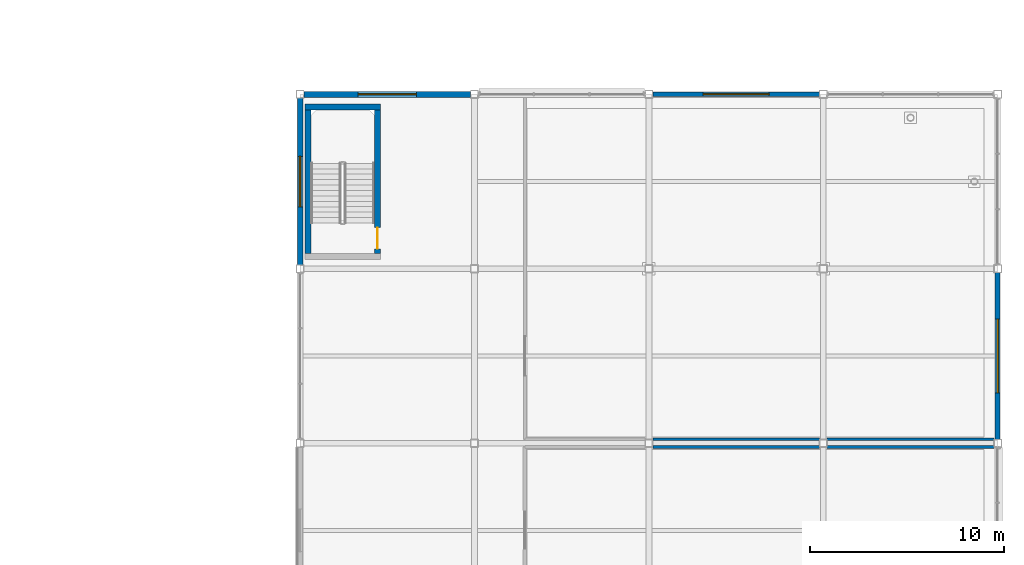
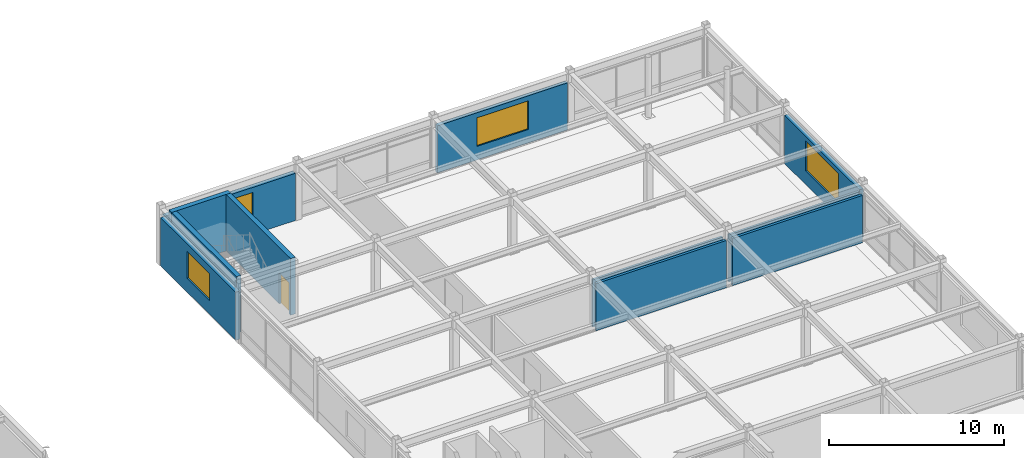
# One storey, part 51 of 70: 11 walls, 4 windows, 1 door, 5 openings.
"""IFC4 building model written with IfcOpenShell, lengths in metres."""

import ifcopenshell
import ifcopenshell.guid

model = None  # the IFC model being written
_history = None  # IfcOwnerHistory: only IFC2X3 demands one
_inside = {}  # id of a spatial element -> (the spatial element, [elements in it])
_under = {}  # id of a project, library or spatial element -> (it, [spatial elements below it])
_declared = {}  # id of a project -> (the project, [libraries it declares])
_typed = {}  # id of a type object -> (the type object, [elements of that type])
_made_of = {}  # id of a material, layer set ... -> (it, [elements and type objects made of it])


def new_model(schema):
    """Start an empty IFC model of exactly this schema.

    Asked for "IFC4X3", IfcOpenShell would pick the latest addendum, in which some entities
    have other attributes; the version numbers below select the first issue.
    IFC2X3 requires an IfcOwnerHistory on every rooted entity: one is made here for all.
    """
    global model, _history
    if schema == "IFC4X3":
        model = ifcopenshell.file(schema_version=(4, 3, 0, 0))
    else:
        model = ifcopenshell.file(schema=schema)
    _inside.clear()
    _under.clear()
    _declared.clear()
    _typed.clear()
    _made_of.clear()
    _history = None
    if model.schema == "IFC2X3":
        org = make("IfcOrganization", Name="unknown")
        user = make(
            "IfcPersonAndOrganization",
            ThePerson=make("IfcPerson", FamilyName="unknown"),
            TheOrganization=org,
        )
        app = make(
            "IfcApplication",
            ApplicationDeveloper=org,
            Version="unknown",
            ApplicationFullName="unknown",
            ApplicationIdentifier="unknown",
        )
        _history = make(
            "IfcOwnerHistory",
            OwningUser=user,
            OwningApplication=app,
            ChangeAction="ADDED",
            CreationDate=0,
        )
    return model


def make(cls, **values):
    """One entity of the class cls with the attributes given. An attribute that is None is left unset."""
    return model.create_entity(
        cls, **{name: value for name, value in values.items() if value is not None}
    )


def rooted(cls, **values):
    """An entity with a GlobalId (a new one), such as an element, a storey or a relation."""
    return make(cls, GlobalId=ifcopenshell.guid.new(), OwnerHistory=_history, **values)


def si_unit(unit_type, name, prefix=None):
    """IfcSIUnit, for example si_unit("LENGTHUNIT", "METRE", prefix="MILLI")."""
    return make("IfcSIUnit", UnitType=unit_type, Prefix=prefix, Name=name)


def assignment(units):
    """IfcUnitAssignment: the units of a project."""
    return None if units is None else make("IfcUnitAssignment", Units=units)


def point(xyz):
    """IfcCartesianPoint."""
    return None if xyz is None else make("IfcCartesianPoint", Coordinates=xyz)


def direction(xyz):
    """IfcDirection."""
    return None if xyz is None else make("IfcDirection", DirectionRatios=xyz)


def frame(location, z_axis=None, x_axis=None):
    """IfcAxis2Placement3D, a coordinate frame: its origin and axes. An axis left out is left unset."""
    return make(
        "IfcAxis2Placement3D",
        Location=point(location),
        Axis=direction(z_axis),
        RefDirection=direction(x_axis),
    )


def frame_2d(location, x_axis=None):
    """IfcAxis2Placement2D, a coordinate frame in the plane: its origin and x axis."""
    return make(
        "IfcAxis2Placement2D", Location=point(location), RefDirection=direction(x_axis)
    )


def origin():
    """The frame at (0, 0, 0) with its axes left unset."""
    return frame((0.0, 0.0, 0.0))


def place(relative_to, where):
    """IfcLocalPlacement: puts the frame where relative to a parent placement (None: the world)."""
    return make(
        "IfcLocalPlacement", PlacementRelTo=relative_to, RelativePlacement=where
    )


def context(
    kind, dimensions, precision=None, world=None, true_north=None, identifier=None
):
    """IfcGeometricRepresentationContext, for example the 3D "Model" context."""
    return make(
        "IfcGeometricRepresentationContext",
        ContextIdentifier=identifier,
        ContextType=kind,
        CoordinateSpaceDimension=dimensions,
        Precision=precision,
        WorldCoordinateSystem=world,
        TrueNorth=true_north,
    )


def subcontext(parent, identifier, kind, view, scale=None):
    """IfcGeometricRepresentationSubContext, for example "Body" below "Model"."""
    return make(
        "IfcGeometricRepresentationSubContext",
        ContextIdentifier=identifier,
        ContextType=kind,
        ParentContext=parent,
        TargetScale=scale,
        TargetView=view,
    )


def project(units=None, contexts=None):
    """IfcProject with its units and contexts."""
    return rooted(
        "IfcProject",
        Name="project",
        RepresentationContexts=contexts,
        UnitsInContext=assignment(units),
    )


def spatial(cls, under=None, at=None, **own):
    """A site, building, storey or space (cls), placed at a placement, below another one or the project."""
    s = rooted(cls, ObjectPlacement=at, **own)
    if under is not None:
        _under.setdefault(under.id(), (under, []))[1].append(s)
    return s


def profile(cls, at=None, kind="AREA", **sizes):
    """A parametric profile (cls). Its sizes go by their IFC names, for example OverallWidth=200.0."""
    return make(cls, ProfileType=kind, Position=at, **sizes)


def rectangle(**sizes):
    """IfcRectangleProfileDef."""
    return profile("IfcRectangleProfileDef", **sizes)


def extrude(swept, where, along, depth):
    """IfcExtrudedAreaSolid: the profile swept, set in the frame where, extruded along a direction by depth."""
    return make(
        "IfcExtrudedAreaSolid",
        SweptArea=swept,
        Position=where,
        ExtrudedDirection=direction(along),
        Depth=depth,
    )


def shape(context_of_items, identifier, shape_type, items):
    """IfcShapeRepresentation: the items that make up one representation, for example the "Body"."""
    return make(
        "IfcShapeRepresentation",
        ContextOfItems=context_of_items,
        RepresentationIdentifier=identifier,
        RepresentationType=shape_type,
        Items=items,
    )


def material(Name=None, Category=None):
    """IfcMaterial."""
    return make("IfcMaterial", Name=Name, Category=Category)


def layer(
    of_material, thickness, ventilated=None, Name=None, Category=None, Priority=None
):
    """IfcMaterialLayer: one layer of a wall or slab, of a material (None: an air gap)."""
    return make(
        "IfcMaterialLayer",
        Material=of_material,
        LayerThickness=thickness,
        IsVentilated=ventilated,
        Name=Name,
        Category=Category,
        Priority=Priority,
    )


def layer_set(layers, Name=None):
    """IfcMaterialLayerSet."""
    return make("IfcMaterialLayerSet", MaterialLayers=layers, LayerSetName=Name)


def made_of(thing, what):
    """Note that an element or type object is made of a material, layer set ...; save() writes the relation."""
    if what is not None:
        _made_of.setdefault(what.id(), (what, []))[1].append(thing)
    return thing


def type_object(cls, material=None, **own):
    """A type object (cls), such as IfcWallType, which elements share."""
    return made_of(rooted(cls, **own), material)


def element(
    cls,
    number,
    at=None,
    inside=None,
    cuts=None,
    type_object=None,
    material=None,
    context=None,
    identifier="Body",
    shape_type=None,
    held_by="IfcProductDefinitionShape",
    body=None,
    shapes=None,
    **own,
):
    """One element of the class cls, such as IfcWall. Its Tag is "e" and its number.

    at: its placement. inside: the storey or other place that contains it. cuts: it is an
    opening in that element (IfcRelVoidsElement). A single representation is given by context,
    identifier, shape_type and body (its items); several are given by shapes. held_by: the class
    of the entity that holds the representations. save() writes the other relations.
    """
    e = rooted(cls, Tag="e%d" % number, ObjectPlacement=at, **own)
    if body is not None:
        shapes = [shape(context, identifier, shape_type, body)]
    if shapes is not None:
        e.Representation = make(held_by, Representations=shapes)
    if inside is not None:
        _inside.setdefault(inside.id(), (inside, []))[1].append(e)
    if cuts is not None:
        rooted(
            "IfcRelVoidsElement", RelatingBuildingElement=cuts, RelatedOpeningElement=e
        )
    if type_object is not None:
        _typed.setdefault(type_object.id(), (type_object, []))[1].append(e)
    return made_of(e, material)


def fill(opening, filler):
    """IfcRelFillsElement: the door or window that sits in an opening."""
    return rooted(
        "IfcRelFillsElement",
        RelatingOpeningElement=opening,
        RelatedBuildingElement=filler,
    )


def aggregate(whole, parts):
    """IfcRelAggregates: a whole, such as a stair, and the parts it consists of."""
    return rooted("IfcRelAggregates", RelatingObject=whole, RelatedObjects=parts)


def save(model, path):
    """Write the relations noted so far, then the file.

    IfcRelAggregates (storeys below a building ...), IfcRelContainedInSpatialStructure (elements
    in a storey), IfcRelDefinesByType, IfcRelAssociatesMaterial and IfcRelDeclares: one each for
    every whole, place, type object, material and project.
    """
    for whole, parts in _under.values():
        aggregate(whole, parts)
    for where, things in _inside.values():
        rooted(
            "IfcRelContainedInSpatialStructure",
            RelatedElements=things,
            RelatingStructure=where,
        )
    for kind, things in _typed.values():
        rooted("IfcRelDefinesByType", RelatedObjects=things, RelatingType=kind)
    for what, things in _made_of.values():
        rooted("IfcRelAssociatesMaterial", RelatedObjects=things, RelatingMaterial=what)
    for by, libraries in _declared.values():
        rooted("IfcRelDeclares", RelatingContext=by, RelatedDefinitions=libraries)
    model.write(path)


model = new_model("IFC4")

# Units and contexts
model_context = context("Model", 3, precision=1e-05, world=origin(), true_north=direction((0.0, 1.0)))
body_context = subcontext(model_context, "Body", "Model", "MODEL_VIEW")
ifc_project = project(units=[si_unit("LENGTHUNIT", "METRE"), si_unit("AREAUNIT", "SQUARE_METRE"), si_unit("VOLUMEUNIT", "CUBIC_METRE"), si_unit("PLANEANGLEUNIT", "RADIAN"), si_unit("MASSUNIT", "GRAM", prefix="KILO")], contexts=[model_context])

# Site, building, storey
site_placement = place(None, origin())
site = spatial("IfcSite", under=ifc_project, at=site_placement, CompositionType="ELEMENT")
building_placement = place(site_placement, origin())
building = spatial("IfcBuilding", under=site, at=building_placement, Name="Suzunagisa Mobility Hub", CompositionType="ELEMENT")
storey_placement = place(building_placement, frame((0.0, 0.0, 13.5)))
storey = spatial("IfcBuildingStorey", under=building, at=storey_placement, Name="L03", CompositionType="ELEMENT", Elevation=13.5)

# Wall, opening, window
ifc_material_1 = material(Name="Porcelain-Faced Insulated Concrete C30/37 Wall", Category="concrete")
ifc_layer_1 = layer(ifc_material_1, 0.260009765625)
ifc_layer_set_1 = layer_set([ifc_layer_1], Name="Porcelain-Faced Insulated Concrete C30/37 Wall")
wall_type_1 = type_object("IfcWallType", Name="Exterior Wall EW-03 260mm", PredefinedType="SOLIDWALL", material=ifc_layer_set_1)
wall_1_placement = place(storey_placement, frame((180.0, 80.199951171875, 0.0), z_axis=(0.0, 0.0, 1.0), x_axis=(0.0, 1.0, 0.0)))
wall_1 = element("IfcWall", 1, at=wall_1_placement, inside=storey, type_object=wall_type_1, Name="L03 Exterior Facade Wall EW-386", PredefinedType="SOLIDWALL", context=body_context, shape_type="SweptSolid", body=[
    extrude(rectangle(XDim=8.60009765625, YDim=0.260009765625, at=frame_2d((4.300048828125, 0.0))), origin(), (0.0, 0.0, 1.0), 3.362060546875),
])
opening_1_placement = place(wall_1_placement, frame((2.39990234375, 0.0, 0.949951171875)))
opening_1 = element("IfcOpeningElement", 2, at=opening_1_placement, cuts=wall_1, Name="Opening WN-18", PredefinedType="OPENING", context=body_context, shape_type="SweptSolid", body=[
    extrude(rectangle(XDim=3.800048828125, YDim=2.10009765625, at=frame_2d((1.89990234375, 1.050048828125))), frame((0.0, 0.14111328125, 0.0), z_axis=(0.0, -1.0, 0.0), x_axis=(1.0, 0.0, 0.0)), (0.0, 0.0, 1.0), 0.281982421875),
])
ifc_material_2 = material(Name="Thermally Broken Anodized Aluminum and Low-E Double Glazing", Category="aluminium")
window_type_1 = type_object("IfcWindowType", Name="Aluminum Window WN-18 3800x2100", PartitioningType="SINGLE_PANEL", PredefinedType="WINDOW", material=ifc_material_2)
window_1_placement = place(opening_1_placement, origin())
window_1 = element("IfcWindow", 3, at=window_1_placement, inside=storey, type_object=window_type_1, Name="L03 Scheduled Facade Window WN-130", OverallHeight=2.10009765625, OverallWidth=3.800048828125, PartitioningType="SINGLE_PANEL", PredefinedType="WINDOW", context=body_context, shape_type="SweptSolid", body=[
    extrude(rectangle(XDim=3.800048828125, YDim=2.10009765625, at=frame_2d((1.89990234375, 1.050048828125))), frame((0.0, 0.030029296875, 0.0), z_axis=(0.0, -1.0, 0.0), x_axis=(1.0, 0.0, 0.0)), (0.0, 0.0, 1.0), 0.06005859375),
])
fill(opening_1, window_1)

ifc_material_3 = material(Name="Lightweight Insulated Autoclaved Concrete C30/37 Wall", Category="concrete")
ifc_layer_2 = layer(ifc_material_3, 0.239990234375)
ifc_layer_set_2 = layer_set([ifc_layer_2], Name="Lightweight Insulated Autoclaved Concrete C30/37 Wall")
wall_type_2 = type_object("IfcWallType", Name="Exterior Wall EW-04 240mm", PredefinedType="SOLIDWALL", material=ifc_layer_set_2)
wall_2_placement = place(storey_placement, frame((170.800048828125, 98.0, 0.0), z_axis=(0.0, 0.0, 1.0), x_axis=(-1.0, 0.0, 0.0)))
wall_2 = element("IfcWall", 4, at=wall_2_placement, inside=storey, type_object=wall_type_2, Name="L03 Exterior Facade Wall EW-387", PredefinedType="SOLIDWALL", context=body_context, shape_type="SweptSolid", body=[
    extrude(rectangle(XDim=8.60009765625, YDim=0.239990234375, at=frame_2d((4.300048828125, 0.0))), origin(), (0.0, 0.0, 1.0), 3.300048828125),
])
opening_2_placement = place(wall_2_placement, frame((2.60009765625, 0.0, 0.949951171875)))
opening_2 = element("IfcOpeningElement", 5, at=opening_2_placement, cuts=wall_2, Name="Opening WN-06", PredefinedType="OPENING", context=body_context, shape_type="SweptSolid", body=[
    extrude(rectangle(XDim=3.39990234375, YDim=2.0, at=frame_2d((1.699951171875, 1.0))), frame((0.0, 0.130859375, 0.0), z_axis=(0.0, -1.0, 0.0), x_axis=(1.0, 0.0, 0.0)), (0.0, 0.0, 1.0), 0.261962890625),
])
window_type_2 = type_object("IfcWindowType", Name="Aluminum Window WN-06 3400x2000", PartitioningType="SINGLE_PANEL", PredefinedType="WINDOW", material=ifc_material_2)
window_2_placement = place(opening_2_placement, origin())
window_2 = element("IfcWindow", 6, at=window_2_placement, inside=storey, type_object=window_type_2, Name="L03 Scheduled Facade Window WN-131", OverallHeight=2.0, OverallWidth=3.39990234375, PartitioningType="SINGLE_PANEL", PredefinedType="WINDOW", context=body_context, shape_type="SweptSolid", body=[
    extrude(rectangle(XDim=3.39990234375, YDim=2.0, at=frame_2d((1.699951171875, 1.0))), frame((0.0, 0.030029296875, 0.0), z_axis=(0.0, -1.0, 0.0), x_axis=(1.0, 0.0, 0.0)), (0.0, 0.0, 1.0), 0.06005859375),
])
fill(opening_2, window_2)

ifc_layer_3 = layer(ifc_material_1, 0.280029296875)
ifc_layer_set_3 = layer_set([ifc_layer_3], Name="Porcelain-Faced Insulated Concrete C30/37 Wall")
wall_type_3 = type_object("IfcWallType", Name="Exterior Wall EW-08 280mm", PredefinedType="SOLIDWALL", material=ifc_layer_set_3)
wall_3_placement = place(storey_placement, frame((144.0, 97.800048828125, 0.0), z_axis=(0.0, 0.0, 1.0), x_axis=(0.0, -1.0, 0.0)))
wall_3 = element("IfcWall", 7, at=wall_3_placement, inside=storey, type_object=wall_type_3, Name="L03 Exterior Facade Wall EW-389", PredefinedType="SOLIDWALL", context=body_context, shape_type="SweptSolid", body=[
    extrude(rectangle(XDim=8.60009765625, YDim=0.280029296875, at=frame_2d((4.300048828125, 0.0))), origin(), (0.0, 0.0, 1.0), 3.362060546875),
])
opening_3_placement = place(wall_3_placement, frame((3.0, 0.0, 0.949951171875)))
opening_3 = element("IfcOpeningElement", 8, at=opening_3_placement, cuts=wall_3, Name="Opening WN-24", PredefinedType="OPENING", context=body_context, shape_type="SweptSolid", body=[
    extrude(rectangle(XDim=2.60009765625, YDim=1.89990234375, at=frame_2d((1.300048828125, 0.949951171875))), frame((0.0, 0.15087890625, 0.0), z_axis=(0.0, -1.0, 0.0), x_axis=(1.0, 0.0, 0.0)), (0.0, 0.0, 1.0), 0.302001953125),
])
window_type_3 = type_object("IfcWindowType", Name="Aluminum Window WN-24 2600x1900", PartitioningType="SINGLE_PANEL", PredefinedType="WINDOW", material=ifc_material_2)
window_3_placement = place(opening_3_placement, origin())
window_3 = element("IfcWindow", 9, at=window_3_placement, inside=storey, type_object=window_type_3, Name="L03 Scheduled Facade Window WN-133", OverallHeight=1.89990234375, OverallWidth=2.60009765625, PartitioningType="SINGLE_PANEL", PredefinedType="WINDOW", context=body_context, shape_type="SweptSolid", body=[
    extrude(rectangle(XDim=2.60009765625, YDim=1.89990234375, at=frame_2d((1.300048828125, 0.949951171875))), frame((0.0, 0.030029296875, 0.0), z_axis=(0.0, -1.0, 0.0), x_axis=(1.0, 0.0, 0.0)), (0.0, 0.0, 1.0), 0.06005859375),
])
fill(opening_3, window_3)

ifc_material_4 = material(Name="Insulated Precast Concrete C35/45 Panel", Category="concrete")
ifc_layer_4 = layer(ifc_material_4, 0.300048828125)
ifc_layer_set_4 = layer_set([ifc_layer_4], Name="Insulated Precast Concrete C35/45 Panel")
wall_type_4 = type_object("IfcWallType", Name="Exterior Wall EW-09 300mm", PredefinedType="SOLIDWALL", material=ifc_layer_set_4)
wall_4_placement = place(storey_placement, frame((152.800048828125, 98.0, 0.0), z_axis=(0.0, 0.0, 1.0), x_axis=(-1.0, 0.0, 0.0)))
wall_4 = element("IfcWall", 10, at=wall_4_placement, inside=storey, type_object=wall_type_4, Name="L03 Exterior Facade Wall EW-388", PredefinedType="SOLIDWALL", context=body_context, shape_type="SweptSolid", body=[
    extrude(rectangle(XDim=8.60009765625, YDim=0.300048828125, at=frame_2d((4.300048828125, 0.0))), origin(), (0.0, 0.0, 1.0), 3.300048828125),
])
opening_4_placement = place(wall_4_placement, frame((2.800048828125, 0.0, 0.949951171875)))
opening_4 = element("IfcOpeningElement", 11, at=opening_4_placement, cuts=wall_4, Name="Opening WN-03", PredefinedType="OPENING", context=body_context, shape_type="SweptSolid", body=[
    extrude(rectangle(XDim=3.0, YDim=2.0, at=frame_2d((1.5, 1.0))), frame((0.0, 0.1611328125, 0.0), z_axis=(0.0, -1.0, 0.0), x_axis=(1.0, 0.0, 0.0)), (0.0, 0.0, 1.0), 0.322021484375),
])
window_type_4 = type_object("IfcWindowType", Name="Aluminum Window WN-03 3000x2000", PartitioningType="SINGLE_PANEL", PredefinedType="WINDOW", material=ifc_material_2)
window_4_placement = place(opening_4_placement, origin())
window_4 = element("IfcWindow", 12, at=window_4_placement, inside=storey, type_object=window_type_4, Name="L03 Scheduled Facade Window WN-132", OverallHeight=2.0, OverallWidth=3.0, PartitioningType="SINGLE_PANEL", PredefinedType="WINDOW", context=body_context, shape_type="SweptSolid", body=[
    extrude(rectangle(XDim=3.0, YDim=2.0, at=frame_2d((1.5, 1.0))), frame((0.0, 0.030029296875, 0.0), z_axis=(0.0, -1.0, 0.0), x_axis=(1.0, 0.0, 0.0)), (0.0, 0.0, 1.0), 0.06005859375),
])
fill(opening_4, window_4)

# Walls
ifc_material_5 = material(Name="Concrete C35/45", Category="concrete")
ifc_layer_5 = layer(ifc_material_5, 0.31005859375)
ifc_layer_set_5 = layer_set([ifc_layer_5], Name="Concrete C35/45")
wall_type_5 = type_object("IfcWallType", Name="Interior Wall IW-01 310mm", PredefinedType="SHEAR", material=ifc_layer_set_5)
wall_5_placement = place(storey_placement, frame((144.25, 97.35498046875, 0.0), z_axis=(0.0, 0.0, 1.0), x_axis=(1.0, 0.0, 0.0)))
element("IfcWall", 13, at=wall_5_placement, inside=storey, type_object=wall_type_5, Name="L03 Core C5B Shear Wall SW-478", PredefinedType="SHEAR", context=body_context, shape_type="SweptSolid", body=[
    extrude(rectangle(XDim=3.89990234375, YDim=0.31005859375, at=frame_2d((1.949951171875, 0.0))), origin(), (0.0, 0.0, 1.0), 3.949951171875),
])
wall_6_placement = place(storey_placement, frame((144.405029296875, 89.800048828125, 0.0), z_axis=(0.0, 0.0, 1.0), x_axis=(0.0, 1.0, 0.0)))
element("IfcWall", 14, at=wall_6_placement, inside=storey, type_object=wall_type_5, Name="L03 Core C5B Shear Wall SW-479", PredefinedType="SHEAR", context=body_context, shape_type="SweptSolid", body=[
    extrude(rectangle(XDim=7.39990234375, YDim=0.31005859375, at=frame_2d((3.699951171875, 0.0))), origin(), (0.0, 0.0, 1.0), 3.949951171875),
])

# Wall, opening, door
wall_7_placement = place(storey_placement, frame((147.9951171875, 89.800048828125, 0.0), z_axis=(0.0, 0.0, 1.0), x_axis=(0.0, 1.0, 0.0)))
wall_7 = element("IfcWall", 15, at=wall_7_placement, inside=storey, type_object=wall_type_5, Name="L03 Core C5B Shear Wall SW-480", PredefinedType="SHEAR", context=body_context, shape_type="SweptSolid", body=[
    extrude(rectangle(XDim=7.39990234375, YDim=0.31005859375, at=frame_2d((3.699951171875, 0.0))), origin(), (0.0, 0.0, 1.0), 3.949951171875),
])
opening_5_placement = place(wall_7_placement, frame((0.219970703125, 0.0, 0.0)))
opening_5 = element("IfcOpeningElement", 16, at=opening_5_placement, cuts=wall_7, Name="Opening DR-05", PredefinedType="OPENING", context=body_context, shape_type="SweptSolid", body=[
    extrude(rectangle(XDim=1.10009765625, YDim=2.14990234375, at=frame_2d((0.550048828125, 1.074951171875))), frame((0.0, 0.166015625, 0.0), z_axis=(0.0, -1.0, 0.0), x_axis=(1.0, 0.0, 0.0)), (0.0, 0.0, 1.0), 0.33203125),
])
ifc_material_6 = material(Name="Fire-Rated Hollow Steel Stair Door", Category="steel")
door_type = type_object("IfcDoorType", Name="Interior Door DR-05 1100x2150", OperationType="SINGLE_SWING_LEFT", PredefinedType="DOOR", material=ifc_material_6)
door_placement = place(opening_5_placement, origin())
door = element("IfcDoor", 17, at=door_placement, inside=storey, type_object=door_type, Name="L03 Core C5B Escape Stair Fire Door SD-117", OperationType="SINGLE_SWING_RIGHT", OverallHeight=2.14990234375, OverallWidth=1.10009765625, PredefinedType="DOOR", context=body_context, shape_type="SweptSolid", body=[
    extrude(rectangle(XDim=1.10009765625, YDim=2.14990234375, at=frame_2d((0.550048828125, 1.074951171875))), frame((0.0, 0.02490234375, 0.0), z_axis=(0.0, -1.0, 0.0), x_axis=(1.0, 0.0, 0.0)), (0.0, 0.0, 1.0), 0.050048828125),
])
fill(opening_5, door)

# Walls
ifc_material_7 = material(Name="Fire-Rated Gypsum Stud Partition", Category="gypsum")
ifc_layer_6 = layer(ifc_material_7, 0.169921875)
ifc_layer_set_6 = layer_set([ifc_layer_6], Name="Fire-Rated Gypsum Stud Partition")
wall_type_6 = type_object("IfcWallType", Name="Interior Wall IW-05 170mm", PredefinedType="PARTITIONING", material=ifc_layer_set_6)
for number, where, z_axis, x_axis, name in (
    (18, (162.199951171875, 79.800048828125, 0.0), (0.0, 0.0, 1.0), (1.0, 0.0, 0.0), "L03 Civic Disaster Prevention Bosai Briefing Centre Partition PW-855"),
    (19, (171.199951171875, 79.800048828125, 0.0), (0.0, 0.0, 1.0), (1.0, 0.0, 0.0), "L03 Civic Disaster Prevention Bosai Briefing Centre Partition PW-856"),
):
    element("IfcWall", number, at=place(storey_placement, frame(where, z_axis=z_axis, x_axis=x_axis)), inside=storey, type_object=wall_type_6, Name=name, PredefinedType="PARTITIONING", context=body_context, shape_type="SweptSolid", body=[
        extrude(rectangle(XDim=8.60009765625, YDim=0.169921875, at=frame_2d((4.300048828125, 0.0))), origin(), (0.0, 0.0, 1.0), 3.300048828125),
    ])
ifc_material_8 = material(Name="Acoustic Steel-Stud Gypsum Partition", Category="steel")
ifc_layer_7 = layer(ifc_material_8, 0.14501953125)
ifc_layer_set_7 = layer_set([ifc_layer_7], Name="Acoustic Steel-Stud Gypsum Partition")
wall_type_7 = type_object("IfcWallType", Name="Interior Wall IW-06 145mm", PredefinedType="PARTITIONING", material=ifc_layer_set_7)
for number, where, z_axis, x_axis, name in (
    (20, (162.199951171875, 80.199951171875, 0.0), (0.0, 0.0, 1.0), (1.0, 0.0, 0.0), "L03 Mobility Data Analytics and Engineering Suite Partition PW-859"),
    (21, (171.199951171875, 80.199951171875, 0.0), (0.0, 0.0, 1.0), (1.0, 0.0, 0.0), "L03 Mobility Data Analytics and Engineering Suite Partition PW-860"),
):
    element("IfcWall", number, at=place(storey_placement, frame(where, z_axis=z_axis, x_axis=x_axis)), inside=storey, type_object=wall_type_7, Name=name, PredefinedType="PARTITIONING", context=body_context, shape_type="SweptSolid", body=[
        extrude(rectangle(XDim=8.60009765625, YDim=0.14501953125, at=frame_2d((4.300048828125, 0.0))), origin(), (0.0, 0.0, 1.0), 3.300048828125),
    ])

save(model, "model.ifc")
